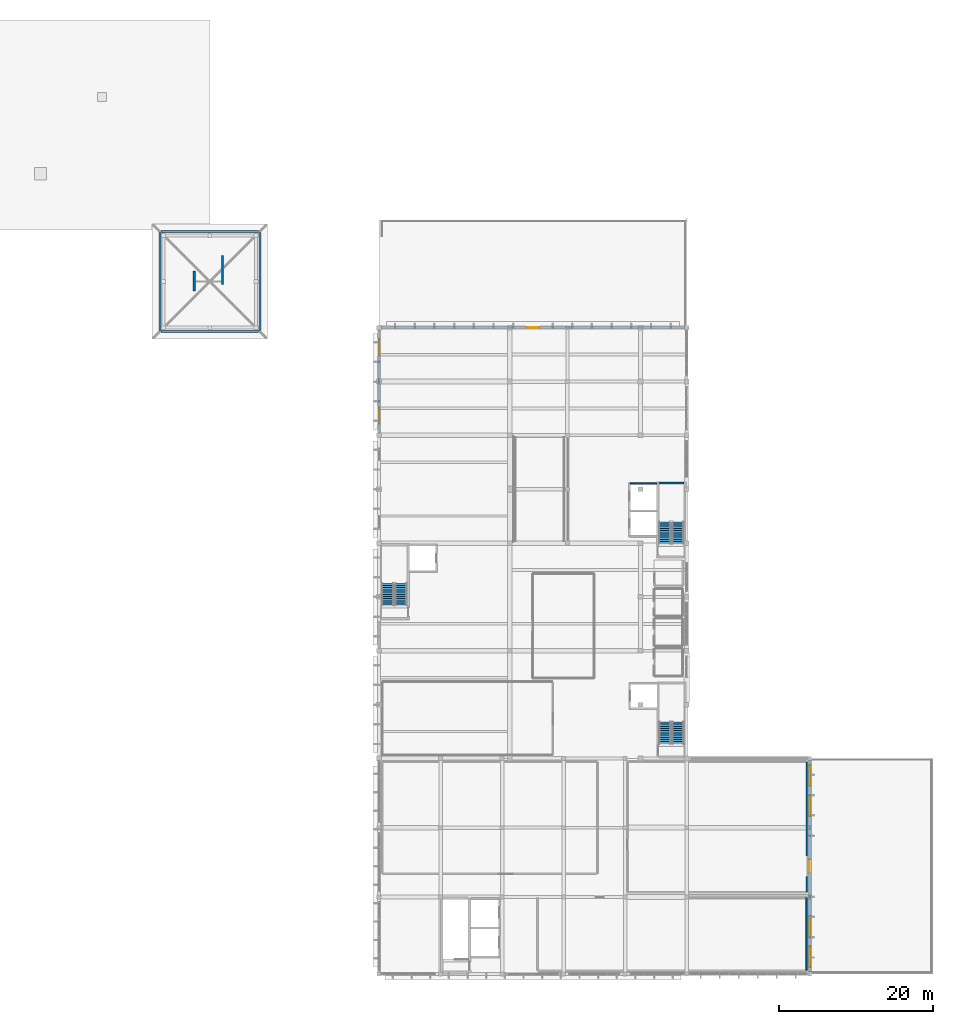
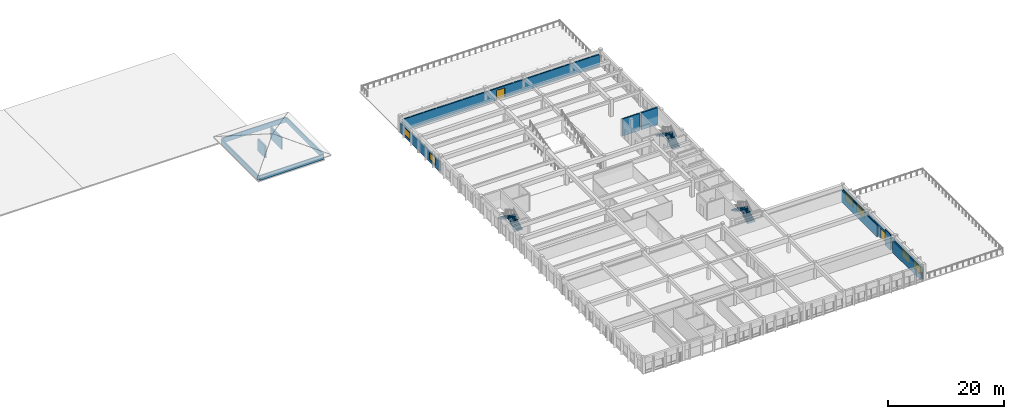
# One storey, part 24 of 33: 14 walls, 6 stair flights, 6 windows, 2 doors, 8 openings, 3 elements without a shape of their own.
"""IFC4 building model written with IfcOpenShell, lengths in metres."""

from ifc_helpers import new_model, si_unit, direction, frame, frame_2d, origin, place, context, subcontext, project, spatial, polyline, rectangle, outline, extrude, material, layer, layer_set, type_object, element, fill, aggregate, save


model = new_model("IFC4")

# Units and contexts
model_context = context("Model", 3, precision=1e-05, world=origin(), true_north=direction((0.0, 1.0)))
body_context = subcontext(model_context, "Body", "Model", "MODEL_VIEW")
ifc_project = project(units=[si_unit("LENGTHUNIT", "METRE"), si_unit("AREAUNIT", "SQUARE_METRE"), si_unit("VOLUMEUNIT", "CUBIC_METRE"), si_unit("PLANEANGLEUNIT", "RADIAN"), si_unit("MASSUNIT", "GRAM", prefix="KILO")], contexts=[model_context])

# Site, building, storey
site_placement = place(None, origin())
site = spatial("IfcSite", under=ifc_project, at=site_placement, CompositionType="ELEMENT")
building_placement = place(site_placement, origin())
building = spatial("IfcBuilding", under=site, at=building_placement, Name="Larkveld Mobility Hub", CompositionType="ELEMENT")
storey_placement = place(building_placement, frame((0.0, 0.0, 15.60009765625)))
storey = spatial("IfcBuildingStorey", under=building, at=storey_placement, Name="L04", CompositionType="ELEMENT", Elevation=15.60009765625)

# Walls
ifc_material_1 = material(Name="Fired clay brick 25 MPa", Category="masonry")
ifc_layer_1 = layer(ifc_material_1, 0.260009765625, Name="Fired clay brick 25 MPa", Category="masonry")
ifc_layer_set_1 = layer_set([ifc_layer_1], Name="Fired clay brick 25 MPa")
wall_type_1 = type_object("IfcWallType", Name="WL-BRK-260", PredefinedType="USERDEFINED", material=ifc_layer_set_1)
for number, where, z_axis, x_axis, name in (
    (1, (96.360107421875, 96.5, 0.0), (0.0, 0.0, 1.0), (-1.0, 0.0, 0.0), "Square Brick Pavilion N Wall L04-0153"),
    (2, (83.5, 96.360107421875, 0.0), (0.0, 0.0, 1.0), (0.0, -1.0, 0.0), "Square Brick Pavilion W Wall L04-0154"),
    (3, (83.639892578125, 83.5, 0.0), (0.0, 0.0, 1.0), (1.0, 0.0, 0.0), "Square Brick Pavilion S Wall L04-0155"),
    (4, (96.5, 83.639892578125, 0.0), (0.0, 0.0, 1.0), (0.0, 1.0, 0.0), "Square Brick Pavilion E Wall L04-0156"),
):
    element("IfcWall", number, at=place(storey_placement, frame(where, z_axis=z_axis, x_axis=x_axis)), inside=storey, type_object=wall_type_1, Name=name, ObjectType="PERFORATED BRICK SCREEN", PredefinedType="USERDEFINED", context=body_context, shape_type="SweptSolid", body=[
        extrude(rectangle(XDim=12.72021484375, YDim=0.260009765625, at=frame_2d((6.360107421875, 0.0))), origin(), (0.0, 0.0, 1.0), 1.02001953125),
    ])

# Wall, openings, windows
ifc_material_2 = material(Name="Glazed architectural ceramic masonry 20 MPa", Category="masonry")
ifc_layer_2 = layer(ifc_material_2, 0.2451171875, Name="Glazed architectural ceramic masonry 20 MPa", Category="masonry")
ifc_layer_set_2 = layer_set([ifc_layer_2], Name="Glazed architectural ceramic masonry 20 MPa")
wall_type_2 = type_object("IfcWallType", Name="WL-COB-245", PredefinedType="USERDEFINED", material=ifc_layer_set_2)
wall_1_placement = place(storey_placement, frame((112.0, 83.68994140625, 0.0), z_axis=(0.0, 0.0, 1.0), x_axis=(0.0, -1.0, 0.0)))
wall_1 = element("IfcWall", 5, at=wall_1_placement, inside=storey, type_object=wall_type_2, Name="EV Wing West Ventilated Facade L04-0240", ObjectType="CERAMIC COBOGO SCREEN", PredefinedType="USERDEFINED", context=body_context, shape_type="SweptSolid", body=[
    extrude(rectangle(XDim=13.3798828125, YDim=0.2451171875, at=frame_2d((6.68994140625, 0.0))), origin(), (0.0, 0.0, 1.0), 2.19482421875),
])
opening_1_placement = place(wall_1_placement, frame((1.179931640625, 0.0, 0.4951171875)))
opening_1 = element("IfcOpeningElement", 6, at=opening_1_placement, cuts=wall_1, Name="Opening W08", PredefinedType="OPENING", context=body_context, shape_type="SweptSolid", body=[
    extrude(rectangle(XDim=2.10009765625, YDim=1.5, at=frame_2d((1.050048828125, 0.75))), frame((0.0, 0.132568359375, 0.0), z_axis=(0.0, -1.0, 0.0), x_axis=(1.0, 0.0, 0.0)), (0.0, 0.0, 1.0), 0.26513671875),
])
opening_2_placement = place(wall_1_placement, frame((10.10009765625, 0.0, 0.4951171875)))
opening_2 = element("IfcOpeningElement", 7, at=opening_2_placement, cuts=wall_1, Name="Opening W08", PredefinedType="OPENING", context=body_context, shape_type="SweptSolid", body=[
    extrude(rectangle(XDim=2.10009765625, YDim=1.5, at=frame_2d((1.050048828125, 0.75))), frame((0.0, 0.132568359375, 0.0), z_axis=(0.0, -1.0, 0.0), x_axis=(1.0, 0.0, 0.0)), (0.0, 0.0, 1.0), 0.26513671875),
])
ifc_material_3 = material(Name="Low-E double glazing in aluminium frame", Category="aluminium")
window_type_1 = type_object("IfcWindowType", Name="WN-ALU-08", PartitioningType="SINGLE_PANEL", PredefinedType="WINDOW", material=ifc_material_3)
window_1_placement = place(opening_1_placement, origin())
window_1 = element("IfcWindow", 8, at=window_1_placement, inside=storey, type_object=window_type_1, Name="Window W08 (1061)", OverallHeight=1.5, OverallWidth=2.10009765625, PartitioningType="SINGLE_PANEL", PredefinedType="WINDOW", context=body_context, shape_type="SweptSolid", body=[
    extrude(rectangle(XDim=2.10009765625, YDim=1.5, at=frame_2d((1.050048828125, 0.75))), frame((0.0, 0.030029296875, 0.0), z_axis=(0.0, -1.0, 0.0), x_axis=(1.0, 0.0, 0.0)), (0.0, 0.0, 1.0), 0.06005859375),
])
fill(opening_1, window_1)
window_2_placement = place(opening_2_placement, origin())
window_2 = element("IfcWindow", 9, at=window_2_placement, inside=storey, type_object=window_type_1, Name="Window W08 (1062)", OverallHeight=1.5, OverallWidth=2.10009765625, PartitioningType="SINGLE_PANEL", PredefinedType="WINDOW", context=body_context, shape_type="SweptSolid", body=[
    extrude(rectangle(XDim=2.10009765625, YDim=1.5, at=frame_2d((1.050048828125, 0.75))), frame((0.0, 0.030029296875, 0.0), z_axis=(0.0, -1.0, 0.0), x_axis=(1.0, 0.0, 0.0)), (0.0, 0.0, 1.0), 0.06005859375),
])
fill(opening_2, window_2)

# Walls
ifc_material_4 = material(Name="Concrete C40/50", Category="concrete")
ifc_layer_3 = layer(ifc_material_4, 0.280029296875, Name="Concrete C40/50", Category="concrete")
ifc_layer_set_3 = layer_set([ifc_layer_3], Name="Concrete C40/50")
wall_type_3 = type_object("IfcWallType", Name="WL-CORE-280", PredefinedType="SHEAR", material=ifc_layer_set_3)
wall_2_placement = place(storey_placement, frame((87.97998046875, 88.800048828125, 0.0), z_axis=(0.0, 0.0, 1.0), x_axis=(0.0, 1.0, 0.0)))
element("IfcWall", 10, at=wall_2_placement, inside=storey, type_object=wall_type_3, Name="Core C5 Apex Support Shear Wall W", PredefinedType="SHEAR", context=body_context, shape_type="SweptSolid", body=[
    extrude(rectangle(XDim=2.599853515625, YDim=0.280029296875, at=frame_2d((1.2998046875, 0.0))), origin(), (0.0, 0.0, 1.0), 2.5),
])
wall_3_placement = place(storey_placement, frame((91.669921875, 89.60009765625, 0.0), z_axis=(0.0, 0.0, 1.0), x_axis=(0.0, 1.0, 0.0)))
element("IfcWall", 11, at=wall_3_placement, inside=storey, type_object=wall_type_3, Name="Core C5 Apex Support Shear Wall E", PredefinedType="SHEAR", context=body_context, shape_type="SweptSolid", body=[
    extrude(rectangle(XDim=3.7998046875, YDim=0.280029296875, at=frame_2d((1.89990234375, 0.0))), origin(), (0.0, 0.0, 1.0), 2.5),
])

# Wall, openings, door, windows
ifc_material_5 = material(Name="Precast concrete C50/60", Category="concrete")
ifc_layer_4 = layer(ifc_material_5, 0.27001953125, Name="Precast concrete C50/60", Category="concrete")
ifc_layer_set_4 = layer_set([ifc_layer_4], Name="Precast concrete C50/60")
wall_type_4 = type_object("IfcWallType", Name="WL-EXT-270", PredefinedType="SOLIDWALL", material=ifc_layer_set_4)
wall_4_placement = place(storey_placement, frame((168.0, 0.260009765625, 0.0), z_axis=(0.0, 0.0, 1.0), x_axis=(0.0, 1.0, 0.0)))
wall_4 = element("IfcWall", 12, at=wall_4_placement, inside=storey, type_object=wall_type_4, Name="Service Wing East Wall L04-0213", PredefinedType="SOLIDWALL", context=body_context, shape_type="SweptSolid", body=[
    extrude(rectangle(XDim=27.47998046875, YDim=0.27001953125, at=frame_2d((13.739990234375, 0.0))), origin(), (0.0, 0.0, 1.0), 2.494873046875),
])
opening_3_placement = place(wall_4_placement, frame((12.93994140625, 0.0, 0.0)))
opening_3 = element("IfcOpeningElement", 13, at=opening_3_placement, cuts=wall_4, Name="Opening ED07", PredefinedType="OPENING", context=body_context, shape_type="SweptSolid", body=[
    extrude(rectangle(XDim=1.60009765625, YDim=2.10009765625, at=frame_2d((0.800048828125, 1.050048828125))), frame((0.0, 0.14501953125, 0.0), z_axis=(0.0, -1.0, 0.0), x_axis=(1.0, 0.0, 0.0)), (0.0, 0.0, 1.0), 0.2900390625),
])
opening_4_placement = place(wall_4_placement, frame((0.613037109375, 0.0, 0.4951171875)))
opening_4 = element("IfcOpeningElement", 14, at=opening_4_placement, cuts=wall_4, Name="Opening W15", PredefinedType="OPENING", context=body_context, shape_type="SweptSolid", body=[
    extrude(rectangle(XDim=2.699951171875, YDim=1.800048828125, at=frame_2d((1.35009765625, 0.89990234375))), frame((0.0, 0.14501953125, 0.0), z_axis=(0.0, -1.0, 0.0), x_axis=(1.0, 0.0, 0.0)), (0.0, 0.0, 1.0), 0.2900390625),
])
opening_5_placement = place(wall_4_placement, frame((4.5390625, 0.0, 0.4951171875)))
opening_5 = element("IfcOpeningElement", 15, at=opening_5_placement, cuts=wall_4, Name="Opening W15", PredefinedType="OPENING", context=body_context, shape_type="SweptSolid", body=[
    extrude(rectangle(XDim=2.699951171875, YDim=1.800048828125, at=frame_2d((1.35009765625, 0.89990234375))), frame((0.0, 0.14501953125, 0.0), z_axis=(0.0, -1.0, 0.0), x_axis=(1.0, 0.0, 0.0)), (0.0, 0.0, 1.0), 0.2900390625),
])
opening_6_placement = place(wall_4_placement, frame((20.240966796875, 0.0, 0.4951171875)))
opening_6 = element("IfcOpeningElement", 16, at=opening_6_placement, cuts=wall_4, Name="Opening W15", PredefinedType="OPENING", context=body_context, shape_type="SweptSolid", body=[
    extrude(rectangle(XDim=2.699951171875, YDim=1.800048828125, at=frame_2d((1.35009765625, 0.89990234375))), frame((0.0, 0.14501953125, 0.0), z_axis=(0.0, -1.0, 0.0), x_axis=(1.0, 0.0, 0.0)), (0.0, 0.0, 1.0), 0.2900390625),
])
opening_7_placement = place(wall_4_placement, frame((24.1669921875, 0.0, 0.4951171875)))
opening_7 = element("IfcOpeningElement", 17, at=opening_7_placement, cuts=wall_4, Name="Opening W15", PredefinedType="OPENING", context=body_context, shape_type="SweptSolid", body=[
    extrude(rectangle(XDim=2.699951171875, YDim=1.800048828125, at=frame_2d((1.35009765625, 0.89990234375))), frame((0.0, 0.14501953125, 0.0), z_axis=(0.0, -1.0, 0.0), x_axis=(1.0, 0.0, 0.0)), (0.0, 0.0, 1.0), 0.2900390625),
])
ifc_material_6 = material(Name="Anodised aluminium glazed terrace door", Category="aluminium")
door_type = type_object("IfcDoorType", Name="DR-EXT-TER16", OperationType="DOUBLE_DOOR_SINGLE_SWING", PredefinedType="DOOR", material=ifc_material_6)
door_1_placement = place(opening_3_placement, origin())
door_1 = element("IfcDoor", 18, at=door_1_placement, inside=storey, type_object=door_type, Name="South-East Harbour Terrace Door EDR-L04-023", OperationType="DOUBLE_DOOR_SINGLE_SWING", OverallHeight=2.10009765625, OverallWidth=1.60009765625, PredefinedType="DOOR", context=body_context, shape_type="SweptSolid", body=[
    extrude(rectangle(XDim=1.60009765625, YDim=2.10009765625, at=frame_2d((0.800048828125, 1.050048828125))), frame((0.0, 0.02490234375, 0.0), z_axis=(0.0, -1.0, 0.0), x_axis=(1.0, 0.0, 0.0)), (0.0, 0.0, 1.0), 0.050048828125),
])
fill(opening_3, door_1)
window_type_2 = type_object("IfcWindowType", Name="WN-ALU-15", PartitioningType="SINGLE_PANEL", PredefinedType="WINDOW", material=ifc_material_3)
window_3_placement = place(opening_4_placement, origin())
window_3 = element("IfcWindow", 19, at=window_3_placement, inside=storey, type_object=window_type_2, Name="Window W15 (1009)", OverallHeight=1.800048828125, OverallWidth=2.699951171875, PartitioningType="SINGLE_PANEL", PredefinedType="WINDOW", context=body_context, shape_type="SweptSolid", body=[
    extrude(rectangle(XDim=2.699951171875, YDim=1.800048828125, at=frame_2d((1.35009765625, 0.89990234375))), frame((0.0, 0.030029296875, 0.0), z_axis=(0.0, -1.0, 0.0), x_axis=(1.0, 0.0, 0.0)), (0.0, 0.0, 1.0), 0.06005859375),
])
fill(opening_4, window_3)
window_4_placement = place(opening_5_placement, origin())
window_4 = element("IfcWindow", 20, at=window_4_placement, inside=storey, type_object=window_type_2, Name="Window W15 (1010)", OverallHeight=1.800048828125, OverallWidth=2.699951171875, PartitioningType="SINGLE_PANEL", PredefinedType="WINDOW", context=body_context, shape_type="SweptSolid", body=[
    extrude(rectangle(XDim=2.699951171875, YDim=1.800048828125, at=frame_2d((1.35009765625, 0.89990234375))), frame((0.0, 0.030029296875, 0.0), z_axis=(0.0, -1.0, 0.0), x_axis=(1.0, 0.0, 0.0)), (0.0, 0.0, 1.0), 0.06005859375),
])
fill(opening_5, window_4)
window_5_placement = place(opening_6_placement, origin())
window_5 = element("IfcWindow", 21, at=window_5_placement, inside=storey, type_object=window_type_2, Name="Window W15 (1011)", OverallHeight=1.800048828125, OverallWidth=2.699951171875, PartitioningType="SINGLE_PANEL", PredefinedType="WINDOW", context=body_context, shape_type="SweptSolid", body=[
    extrude(rectangle(XDim=2.699951171875, YDim=1.800048828125, at=frame_2d((1.35009765625, 0.89990234375))), frame((0.0, 0.030029296875, 0.0), z_axis=(0.0, -1.0, 0.0), x_axis=(1.0, 0.0, 0.0)), (0.0, 0.0, 1.0), 0.06005859375),
])
fill(opening_6, window_5)
window_6_placement = place(opening_7_placement, origin())
window_6 = element("IfcWindow", 22, at=window_6_placement, inside=storey, type_object=window_type_2, Name="Window W15 (1012)", OverallHeight=1.800048828125, OverallWidth=2.699951171875, PartitioningType="SINGLE_PANEL", PredefinedType="WINDOW", context=body_context, shape_type="SweptSolid", body=[
    extrude(rectangle(XDim=2.699951171875, YDim=1.800048828125, at=frame_2d((1.35009765625, 0.89990234375))), frame((0.0, 0.030029296875, 0.0), z_axis=(0.0, -1.0, 0.0), x_axis=(1.0, 0.0, 0.0)), (0.0, 0.0, 1.0), 0.06005859375),
])
fill(opening_7, window_6)

# Wall, opening, door
wall_5_placement = place(storey_placement, frame((151.68994140625, 84.0, 0.0), z_axis=(0.0, 0.0, 1.0), x_axis=(-1.0, 0.0, 0.0)))
wall_5 = element("IfcWall", 23, at=wall_5_placement, inside=storey, type_object=wall_type_4, Name="Stepped North Terrace Wall L04-0241", PredefinedType="SOLIDWALL", context=body_context, shape_type="SweptSolid", body=[
    extrude(rectangle(XDim=39.3798828125, YDim=0.27001953125, at=frame_2d((19.68994140625, 0.0))), origin(), (0.0, 0.0, 1.0), 2.494873046875),
])
opening_8_placement = place(wall_5_placement, frame((18.889892578125, 0.0, 0.0)))
opening_8 = element("IfcOpeningElement", 24, at=opening_8_placement, cuts=wall_5, Name="Opening ED07", PredefinedType="OPENING", context=body_context, shape_type="SweptSolid", body=[
    extrude(rectangle(XDim=1.60009765625, YDim=2.10009765625, at=frame_2d((0.800048828125, 1.050048828125))), frame((0.0, 0.14501953125, 0.0), z_axis=(0.0, -1.0, 0.0), x_axis=(1.0, 0.0, 0.0)), (0.0, 0.0, 1.0), 0.2900390625),
])
door_2_placement = place(opening_8_placement, origin())
door_2 = element("IfcDoor", 25, at=door_2_placement, inside=storey, type_object=door_type, Name="North Stepped Terrace Door L04 EDR-L04-027", OperationType="DOUBLE_DOOR_SINGLE_SWING", OverallHeight=2.10009765625, OverallWidth=1.60009765625, PredefinedType="DOOR", context=body_context, shape_type="SweptSolid", body=[
    extrude(rectangle(XDim=1.60009765625, YDim=2.10009765625, at=frame_2d((0.800048828125, 1.050048828125))), frame((0.0, 0.02490234375, 0.0), z_axis=(0.0, -1.0, 0.0), x_axis=(1.0, 0.0, 0.0)), (0.0, 0.0, 1.0), 0.050048828125),
])
fill(opening_8, door_2)

# Walls
ifc_material_7 = material(Name="Concrete blockwork masonry 14 MPa", Category="masonry")
ifc_layer_5 = layer(ifc_material_7, 0.175048828125, Name="Concrete blockwork masonry 14 MPa", Category="masonry")
ifc_layer_set_5 = layer_set([ifc_layer_5], Name="Concrete blockwork masonry 14 MPa")
wall_type_5 = type_object("IfcWallType", Name="WL-PRT-175", PredefinedType="PARTITIONING", material=ifc_layer_set_5)
wall_6_placement = place(storey_placement, frame((167.596923828125, 10.679931640625, 0.0), z_axis=(0.0, 0.0, 1.0), x_axis=(0.0, 1.0, 0.0)))
element("IfcWall", 26, at=wall_6_placement, inside=storey, type_object=wall_type_5, Name="Operations Staff Wellness Cafe and Lounge Partition 0234", PredefinedType="PARTITIONING", context=body_context, shape_type="SweptSolid", body=[
    extrude(rectangle(XDim=1.969970703125, YDim=0.175048828125, at=frame_2d((0.98486328125, 0.0))), origin(), (0.0, 0.0, 1.0), 3.344970703125),
])
wall_7_placement = place(storey_placement, frame((167.596923828125, 15.35009765625, 0.0), z_axis=(0.0, 0.0, 1.0), x_axis=(0.0, 1.0, 0.0)))
element("IfcWall", 27, at=wall_7_placement, inside=storey, type_object=wall_type_5, Name="Operations Staff Wellness Cafe and Lounge Partition 0235", PredefinedType="PARTITIONING", context=body_context, shape_type="SweptSolid", body=[
    extrude(rectangle(XDim=12.1669921875, YDim=0.175048828125, at=frame_2d((6.08349609375, 0.0))), origin(), (0.0, 0.0, 1.0), 2.494873046875),
])
ifc_layer_6 = layer(ifc_material_7, 0.195068359375, Name="Concrete blockwork masonry 14 MPa", Category="masonry")
ifc_layer_set_6 = layer_set([ifc_layer_6], Name="Concrete blockwork masonry 14 MPa")
wall_type_6 = type_object("IfcWallType", Name="WL-PRT-195", PredefinedType="PARTITIONING", material=ifc_layer_set_6)
wall_8_placement = place(storey_placement, frame((167.60009765625, 0.47998046875, 0.0), z_axis=(0.0, 0.0, 1.0), x_axis=(0.0, 1.0, 0.0)))
element("IfcWall", 28, at=wall_8_placement, inside=storey, type_object=wall_type_6, Name="Solar Inverter and Battery Energy Plant Room Partition 0239", PredefinedType="PARTITIONING", context=body_context, shape_type="SweptSolid", body=[
    extrude(rectangle(XDim=9.43994140625, YDim=0.195068359375, at=frame_2d((4.719970703125, 0.0))), origin(), (0.0, 0.0, 1.0), 2.494873046875),
])
ifc_layer_7 = layer(ifc_material_4, 0.219970703125, Name="Concrete C40/50", Category="concrete")
ifc_layer_set_7 = layer_set([ifc_layer_7], Name="Concrete C40/50")
wall_type_7 = type_object("IfcWallType", Name="WL-SHF-220", PredefinedType="SHEAR", material=ifc_layer_set_7)
wall_9_placement = place(storey_placement, frame((144.679931640625, 63.760009765625, 0.0), z_axis=(0.0, 0.0, 1.0), x_axis=(1.0, 0.0, 0.0)))
element("IfcWall", 29, at=wall_9_placement, inside=storey, type_object=wall_type_7, Name="Lift FL2 Shaft Wall L04-N", PredefinedType="SHEAR", context=body_context, shape_type="SweptSolid", body=[
    extrude(rectangle(XDim=3.400146484375, YDim=0.219970703125, at=frame_2d((1.7001953125, 0.0))), origin(), (0.0, 0.0, 1.0), 3.599853515625),
])
ifc_layer_8 = layer(ifc_material_4, 0.300048828125, Name="Concrete C40/50", Category="concrete")
ifc_layer_set_8 = layer_set([ifc_layer_8], Name="Concrete C40/50")
wall_type_8 = type_object("IfcWallType", Name="WL-SHR-02", PredefinedType="SHEAR", material=ifc_layer_set_8)
wall_10_placement = place(storey_placement, frame((148.3798828125, 63.800048828125, 0.0), z_axis=(0.0, 0.0, 1.0), x_axis=(1.0, 0.0, 0.0)))
element("IfcWall", 30, at=wall_10_placement, inside=storey, type_object=wall_type_8, Name="Core C2 Stair Shear Wall L04-N", PredefinedType="SHEAR", context=body_context, shape_type="SweptSolid", body=[
    extrude(rectangle(XDim=3.27001953125, YDim=0.300048828125, at=frame_2d((1.635009765625, 0.0))), origin(), (0.0, 0.0, 1.0), 3.599853515625),
])

# Stair, stair flights
stair_type_1 = type_object("IfcStairType", Name="ST-HT-01", PredefinedType="HALF_TURN_STAIR", material=ifc_material_4)
stair_1_placement = place(storey_placement, origin())
stair_1 = element("IfcStair", 31, at=stair_1_placement, inside=storey, type_object=stair_type_1, Name="L04 Protected Escape Stair ST1", PredefinedType="HALF_TURN_STAIR")
stair_flight_type_1 = type_object("IfcStairFlightType", Name="SF-HT-01", PredefinedType="STRAIGHT", material=ifc_material_4)
stair_flight_1_placement = place(storey_placement, frame((150.875, 29.89990234375, 0.0), z_axis=(0.0, 0.0, 1.0), x_axis=(0.0, 1.0, 0.0)))
stair_flight_1 = element("IfcStairFlight", 32, at=stair_flight_1_placement, type_object=stair_flight_type_1, Name="ST1 flight 1", NumberOfRisers=11, NumberOfTreads=10, PredefinedType="STRAIGHT", RiserHeight=0.163636364, TreadLength=0.285, context=body_context, shape_type="SweptSolid", body=[
    extrude(outline(polyline([(0.0, 0.0), (0.0, 0.16357421875), (0.284912109375, 0.16357421875), (0.284912109375, 0.327392578125), (0.570068359375, 0.327392578125), (0.570068359375, 0.490966796875), (0.85498046875, 0.490966796875), (0.85498046875, 0.654541015625), (1.139892578125, 0.654541015625), (1.139892578125, 0.818115234375), (1.425048828125, 0.818115234375), (1.425048828125, 0.98193359375), (1.7099609375, 0.98193359375), (1.7099609375, 1.1455078125), (1.9951171875, 1.1455078125), (1.9951171875, 1.30908203125), (2.280029296875, 1.30908203125), (2.280029296875, 1.47265625), (2.56494140625, 1.47265625), (2.56494140625, 1.636474609375), (2.85009765625, 1.636474609375), (2.85009765625, 1.800048828125), (2.85009765625, 1.45654296875), (0.313232421875, 0.0), (0.0, 0.0)])), frame((0.0, 0.77490234375, 0.0), z_axis=(0.0, -1.0, 0.0), x_axis=(1.0, 0.0, 0.0)), (0.0, 0.0, 1.0), 1.550048828125),
])
stair_flight_2_placement = place(storey_placement, frame((149.175048828125, 32.75, 1.7998046875), z_axis=(0.0, 0.0, 1.0), x_axis=(0.0, -1.0, 0.0)))
stair_flight_2 = element("IfcStairFlight", 33, at=stair_flight_2_placement, type_object=stair_flight_type_1, Name="ST1 flight 2", NumberOfRisers=11, NumberOfTreads=10, PredefinedType="STRAIGHT", RiserHeight=0.163636364, TreadLength=0.285, context=body_context, shape_type="SweptSolid", body=[
    extrude(outline(polyline([(0.0, 0.0), (0.0, 0.16357421875), (0.284912109375, 0.16357421875), (0.284912109375, 0.327392578125), (0.570068359375, 0.327392578125), (0.570068359375, 0.490966796875), (0.85498046875, 0.490966796875), (0.85498046875, 0.654541015625), (1.139892578125, 0.654541015625), (1.139892578125, 0.818115234375), (1.425048828125, 0.818115234375), (1.425048828125, 0.98193359375), (1.7099609375, 0.98193359375), (1.7099609375, 1.1455078125), (1.9951171875, 1.1455078125), (1.9951171875, 1.30908203125), (2.280029296875, 1.30908203125), (2.280029296875, 1.47265625), (2.56494140625, 1.47265625), (2.56494140625, 1.636474609375), (2.85009765625, 1.636474609375), (2.85009765625, 1.800048828125), (2.85009765625, 1.45654296875), (0.313232421875, 0.0), (0.0, 0.0)])), frame((0.0, 0.77490234375, 0.0), z_axis=(0.0, -1.0, 0.0), x_axis=(1.0, 0.0, 0.0)), (0.0, 0.0, 1.0), 1.550048828125),
])
aggregate(stair_1, [stair_flight_1, stair_flight_2])

stair_type_2 = type_object("IfcStairType", Name="ST-HT-02", PredefinedType="HALF_TURN_STAIR", material=ifc_material_4)
stair_2_placement = place(storey_placement, origin())
stair_2 = element("IfcStair", 34, at=stair_2_placement, inside=storey, type_object=stair_type_2, Name="L04 Protected Escape Stair ST2", PredefinedType="HALF_TURN_STAIR")
stair_flight_type_2 = type_object("IfcStairFlightType", Name="SF-HT-02", PredefinedType="STRAIGHT", material=ifc_material_4)
stair_flight_3_placement = place(storey_placement, frame((150.8701171875, 55.909912109375, 0.0), z_axis=(0.0, 0.0, 1.0), x_axis=(0.0, 1.0, 0.0)))
stair_flight_3 = element("IfcStairFlight", 35, at=stair_flight_3_placement, type_object=stair_flight_type_2, Name="ST2 flight 1", NumberOfRisers=11, NumberOfTreads=10, PredefinedType="STRAIGHT", RiserHeight=0.163636364, TreadLength=0.285, context=body_context, shape_type="SweptSolid", body=[
    extrude(outline(polyline([(0.0, 0.0), (0.0, 0.16357421875), (0.284912109375, 0.16357421875), (0.284912109375, 0.327392578125), (0.570068359375, 0.327392578125), (0.570068359375, 0.490966796875), (0.85498046875, 0.490966796875), (0.85498046875, 0.654541015625), (1.139892578125, 0.654541015625), (1.139892578125, 0.818115234375), (1.425048828125, 0.818115234375), (1.425048828125, 0.98193359375), (1.7099609375, 0.98193359375), (1.7099609375, 1.1455078125), (1.9951171875, 1.1455078125), (1.9951171875, 1.30908203125), (2.280029296875, 1.30908203125), (2.280029296875, 1.47265625), (2.56494140625, 1.47265625), (2.56494140625, 1.636474609375), (2.85009765625, 1.636474609375), (2.85009765625, 1.800048828125), (2.85009765625, 1.449462890625), (0.32568359375, 0.0), (0.0, 0.0)])), frame((0.0, 0.780029296875, 0.0), z_axis=(0.0, -1.0, 0.0), x_axis=(1.0, 0.0, 0.0)), (0.0, 0.0, 1.0), 1.56005859375),
])
stair_flight_4_placement = place(storey_placement, frame((149.159912109375, 58.760009765625, 1.7998046875), z_axis=(0.0, 0.0, 1.0), x_axis=(0.0, -1.0, 0.0)))
stair_flight_4 = element("IfcStairFlight", 36, at=stair_flight_4_placement, type_object=stair_flight_type_2, Name="ST2 flight 2", NumberOfRisers=11, NumberOfTreads=10, PredefinedType="STRAIGHT", RiserHeight=0.163636364, TreadLength=0.285, context=body_context, shape_type="SweptSolid", body=[
    extrude(outline(polyline([(0.0, 0.0), (0.0, 0.16357421875), (0.284912109375, 0.16357421875), (0.284912109375, 0.327392578125), (0.570068359375, 0.327392578125), (0.570068359375, 0.490966796875), (0.85498046875, 0.490966796875), (0.85498046875, 0.654541015625), (1.139892578125, 0.654541015625), (1.139892578125, 0.818115234375), (1.425048828125, 0.818115234375), (1.425048828125, 0.98193359375), (1.7099609375, 0.98193359375), (1.7099609375, 1.1455078125), (1.9951171875, 1.1455078125), (1.9951171875, 1.30908203125), (2.280029296875, 1.30908203125), (2.280029296875, 1.47265625), (2.56494140625, 1.47265625), (2.56494140625, 1.636474609375), (2.85009765625, 1.636474609375), (2.85009765625, 1.800048828125), (2.85009765625, 1.449462890625), (0.32568359375, 0.0), (0.0, 0.0)])), frame((0.0, 0.780029296875, 0.0), z_axis=(0.0, -1.0, 0.0), x_axis=(1.0, 0.0, 0.0)), (0.0, 0.0, 1.0), 1.56005859375),
])
aggregate(stair_2, [stair_flight_3, stair_flight_4])

stair_type_3 = type_object("IfcStairType", Name="ST-HT-03", PredefinedType="HALF_TURN_STAIR", material=ifc_material_4)
stair_3_placement = place(storey_placement, origin())
stair_3 = element("IfcStair", 37, at=stair_3_placement, inside=storey, type_object=stair_type_3, Name="L04 Protected Escape Stair ST3", PredefinedType="HALF_TURN_STAIR")
stair_flight_type_3 = type_object("IfcStairFlightType", Name="SF-HT-03", PredefinedType="STRAIGHT", material=ifc_material_4)
stair_flight_5_placement = place(storey_placement, frame((114.85498046875, 47.919921875, 0.0), z_axis=(0.0, 0.0, 1.0), x_axis=(0.0, 1.0, 0.0)))
stair_flight_5 = element("IfcStairFlight", 38, at=stair_flight_5_placement, type_object=stair_flight_type_3, Name="ST3 flight 1", NumberOfRisers=11, NumberOfTreads=10, PredefinedType="STRAIGHT", RiserHeight=0.163636364, TreadLength=0.285, context=body_context, shape_type="SweptSolid", body=[
    extrude(outline(polyline([(0.0, 0.0), (0.0, 0.16357421875), (0.284912109375, 0.16357421875), (0.284912109375, 0.327392578125), (0.570068359375, 0.327392578125), (0.570068359375, 0.490966796875), (0.85498046875, 0.490966796875), (0.85498046875, 0.654541015625), (1.139892578125, 0.654541015625), (1.139892578125, 0.818115234375), (1.425048828125, 0.818115234375), (1.425048828125, 0.98193359375), (1.7099609375, 0.98193359375), (1.7099609375, 1.1455078125), (1.9951171875, 1.1455078125), (1.9951171875, 1.30908203125), (2.280029296875, 1.30908203125), (2.280029296875, 1.47265625), (2.56494140625, 1.47265625), (2.56494140625, 1.636474609375), (2.85009765625, 1.636474609375), (2.85009765625, 1.800048828125), (2.85009765625, 1.442626953125), (0.33740234375, 0.0), (0.0, 0.0)])), frame((0.0, 0.78515625, 0.0), z_axis=(0.0, -1.0, 0.0), x_axis=(1.0, 0.0, 0.0)), (0.0, 0.0, 1.0), 1.570068359375),
])
stair_flight_6_placement = place(storey_placement, frame((113.135009765625, 50.77001953125, 1.7998046875), z_axis=(0.0, 0.0, 1.0), x_axis=(0.0, -1.0, 0.0)))
stair_flight_6 = element("IfcStairFlight", 39, at=stair_flight_6_placement, type_object=stair_flight_type_3, Name="ST3 flight 2", NumberOfRisers=11, NumberOfTreads=10, PredefinedType="STRAIGHT", RiserHeight=0.163636364, TreadLength=0.285, context=body_context, shape_type="SweptSolid", body=[
    extrude(outline(polyline([(0.0, 0.0), (0.0, 0.16357421875), (0.284912109375, 0.16357421875), (0.284912109375, 0.327392578125), (0.570068359375, 0.327392578125), (0.570068359375, 0.490966796875), (0.85498046875, 0.490966796875), (0.85498046875, 0.654541015625), (1.139892578125, 0.654541015625), (1.139892578125, 0.818115234375), (1.425048828125, 0.818115234375), (1.425048828125, 0.98193359375), (1.7099609375, 0.98193359375), (1.7099609375, 1.1455078125), (1.9951171875, 1.1455078125), (1.9951171875, 1.30908203125), (2.280029296875, 1.30908203125), (2.280029296875, 1.47265625), (2.56494140625, 1.47265625), (2.56494140625, 1.636474609375), (2.85009765625, 1.636474609375), (2.85009765625, 1.800048828125), (2.85009765625, 1.442626953125), (0.33740234375, 0.0), (0.0, 0.0)])), frame((0.0, 0.78515625, 0.0), z_axis=(0.0, -1.0, 0.0), x_axis=(1.0, 0.0, 0.0)), (0.0, 0.0, 1.0), 1.570068359375),
])
aggregate(stair_3, [stair_flight_5, stair_flight_6])

save(model, "model.ifc")
